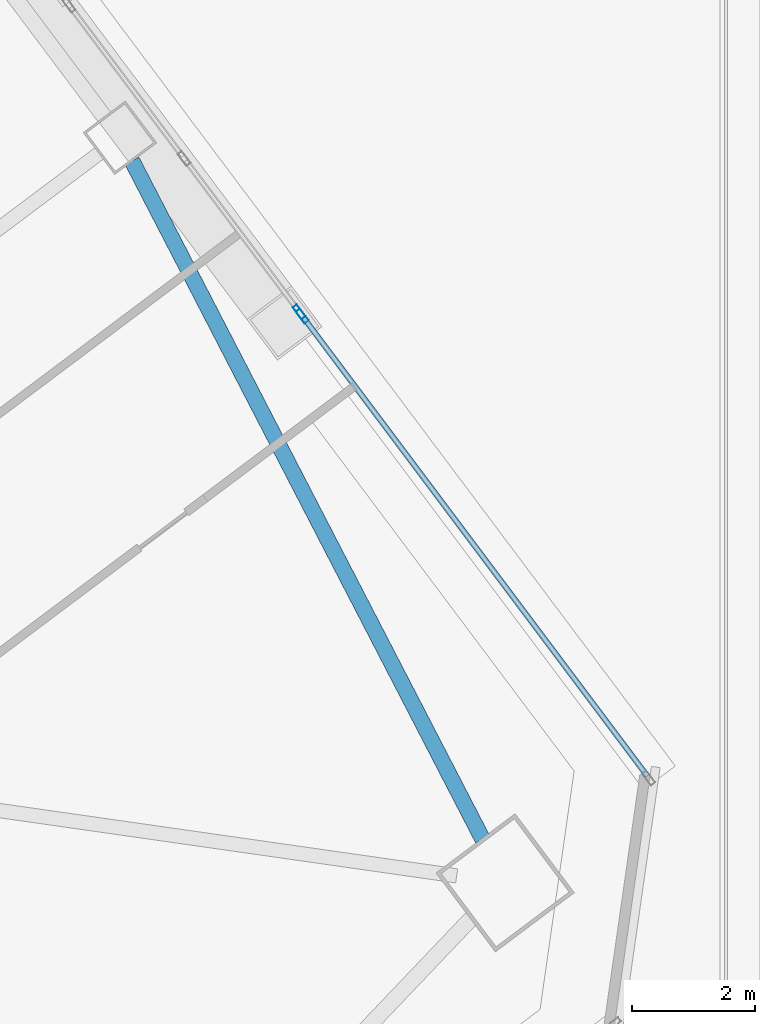
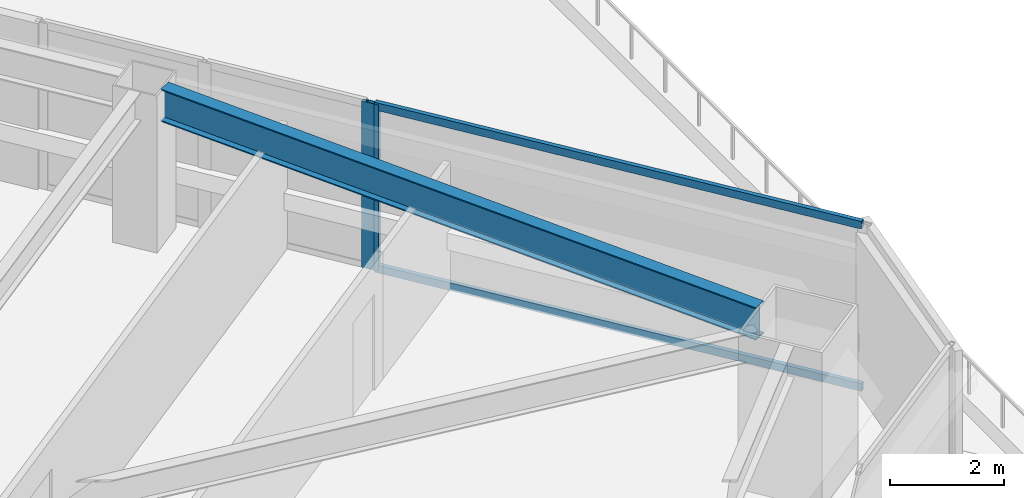
# One storey, part 63 of 83: 4 members, 1 beam, 2 elements without a shape of their own.
"""IFC4 building model written with IfcOpenShell, lengths in metres."""

from ifc_helpers import new_model, si_unit, direction, frame, origin, origin_2d, place, context, subcontext, project, spatial, hollow_rectangle, i_section, extrude, material, material_profile, profile_set, type_object, element, aggregate, save


model = new_model("IFC4")

# Units and contexts
model_context = context("Model", 3, precision=1e-05, world=origin(), true_north=direction((0.0, 1.0)))
body_context = subcontext(model_context, "Body", "Model", "MODEL_VIEW")
ifc_project = project(units=[si_unit("LENGTHUNIT", "METRE"), si_unit("AREAUNIT", "SQUARE_METRE"), si_unit("VOLUMEUNIT", "CUBIC_METRE"), si_unit("PLANEANGLEUNIT", "RADIAN"), si_unit("MASSUNIT", "GRAM", prefix="KILO")], contexts=[model_context])

# Site, building, storey
site_placement = place(None, origin())
site = spatial("IfcSite", under=ifc_project, at=site_placement, CompositionType="ELEMENT")
building_placement = place(site_placement, origin())
building = spatial("IfcBuilding", under=site, at=building_placement, Name="Tashvorn Skyway Center", CompositionType="ELEMENT")
storey_placement = place(building_placement, frame((0.0, 0.0, 24.60009765625)))
storey = spatial("IfcBuildingStorey", under=building, at=storey_placement, Name="L05", CompositionType="ELEMENT", Elevation=24.60009765625)

# Beam
ifc_material_1 = material(Name="Steel ASTM A992 Grade 50", Category="steel")
ifc_material_profile_1 = material_profile(ifc_material_1, i_section(OverallWidth=0.256103515625, OverallDepth=0.693115234375, WebThickness=0.014404296875, FlangeThickness=0.023681640625, at=origin_2d()), Name="W27X114")
ifc_profile_set_1 = profile_set([ifc_material_profile_1], Name="Steel ASTM A992 Grade 50")
beam_type = type_object("IfcBeamType", Name="BM-SPANDREL-W27X114", PredefinedType="SPANDREL", material=ifc_profile_set_1)
beam_placement = place(storey_placement, frame((139.954833984375, 28.9462890625, 3.00341796875), z_axis=(-0.459233413919, 0.888315637339, 0.0), x_axis=(-0.888315637339, -0.459233413919, 0.0)))
element("IfcBeam", 1, at=beam_placement, inside=storey, type_object=beam_type, Name="Tower 2 L05 Spandrel Beam 04", PredefinedType="SPANDREL", context=body_context, shape_type="SweptSolid", body=[
    extrude(i_section(OverallWidth=0.256103515625, OverallDepth=0.693115234375, WebThickness=0.014404296875, FlangeThickness=0.023681640625, at=origin_2d()), origin(), (0.0, 0.0, 1.0), 12.37255859375),
])

# Curtain wall, member
ifc_material_2 = material(Name="Thermally broken bronze-anodized aluminium 6063-T6", Category="aluminium")
curtain_wall_type = type_object("IfcCurtainWallType", Name="CW-CW-Z1", PredefinedType="NOTDEFINED", material=ifc_material_2)
curtain_wall_1_placement = place(storey_placement, origin())
curtain_wall_1 = element("IfcCurtainWall", 2, at=curtain_wall_1_placement, inside=storey, type_object=curtain_wall_type, Name="Tower 2 L05 East Unitised Curtain Wall Glazing Group 3", PredefinedType="NOTDEFINED")
ifc_material_profile_2 = material_profile(ifc_material_2, hollow_rectangle(XDim=0.0849609375, YDim=0.239990234375, WallThickness=0.0048828125, at=origin_2d()), Name="ALU-MULL-85x240")
ifc_profile_set_2 = profile_set([ifc_material_profile_2], Name="Thermally broken bronze-anodized aluminium 6063-T6")
member_type_1 = type_object("IfcMemberType", Name="CWM-CW-Z1", PredefinedType="MULLION", material=ifc_profile_set_2)
member_1_placement = place(storey_placement, frame((136.982421875, 37.489990234375, 0.0), z_axis=(0.0, 0.0, 1.0), x_axis=(0.800001906763, 0.599997457641, 0.0)))
member_1 = element("IfcMember", 3, at=member_1_placement, type_object=member_type_1, Name="CW-Z1 mullion 3", PredefinedType="MULLION", context=body_context, shape_type="SweptSolid", body=[
    extrude(hollow_rectangle(XDim=0.0849609375, YDim=0.239990234375, WallThickness=0.0048828125, at=origin_2d()), origin(), (0.0, 0.0, 1.0), 3.5498046875),
])
aggregate(curtain_wall_1, [member_1])

# Curtain wall, members
curtain_wall_2_placement = place(storey_placement, origin())
curtain_wall_2 = element("IfcCurtainWall", 4, at=curtain_wall_2_placement, inside=storey, type_object=curtain_wall_type, Name="Tower 2 L05 East Unitised Curtain Wall Glazing Group 4", PredefinedType="NOTDEFINED")
member_2_placement = place(storey_placement, frame((137.033447265625, 37.422119140625, 0.0), z_axis=(0.0, 0.0, 1.0), x_axis=(0.799999999998, 0.600000000002, 0.0)))
member_2 = element("IfcMember", 5, at=member_2_placement, type_object=member_type_1, Name="CW-Z1 mullion 1", PredefinedType="MULLION", context=body_context, shape_type="SweptSolid", body=[
    extrude(hollow_rectangle(XDim=0.0849609375, YDim=0.239990234375, WallThickness=0.0048828125, at=origin_2d()), origin(), (0.0, 0.0, 1.0), 3.5498046875),
])
ifc_material_profile_3 = material_profile(ifc_material_2, hollow_rectangle(XDim=0.0849609375, YDim=0.1650390625, WallThickness=0.0048828125, at=origin_2d()), Name="ALU-TRAN-85x165")
ifc_profile_set_3 = profile_set([ifc_material_profile_3], Name="Thermally broken bronze-anodized aluminium 6063-T6")
member_type_2 = type_object("IfcMemberType", Name="CWT-CW-Z1", PredefinedType="USERDEFINED", material=ifc_profile_set_3)
member_3_placement = place(storey_placement, frame((137.05908203125, 37.387939453125, 0.04248046875), z_axis=(0.6, -0.8, 0.0), x_axis=(0.8, 0.6, 0.0)))
member_3 = element("IfcMember", 6, at=member_3_placement, type_object=member_type_2, Name="CW-Z1 transom 1.1", ObjectType="TRANSOM", PredefinedType="USERDEFINED", context=body_context, shape_type="SweptSolid", body=[
    extrude(hollow_rectangle(XDim=0.0849609375, YDim=0.1650390625, WallThickness=0.0048828125, at=origin_2d()), origin(), (0.0, 0.0, 1.0), 9.27001953125),
])
member_4_placement = place(storey_placement, frame((137.05908203125, 37.387939453125, 3.50732421875), z_axis=(0.6, -0.8, 0.0), x_axis=(0.8, 0.6, 0.0)))
member_4 = element("IfcMember", 7, at=member_4_placement, type_object=member_type_2, Name="CW-Z1 transom 1.2", ObjectType="TRANSOM", PredefinedType="USERDEFINED", context=body_context, shape_type="SweptSolid", body=[
    extrude(hollow_rectangle(XDim=0.0849609375, YDim=0.1650390625, WallThickness=0.0048828125, at=origin_2d()), origin(), (0.0, 0.0, 1.0), 9.27001953125),
])
aggregate(curtain_wall_2, [member_2, member_3, member_4])

save(model, "model.ifc")
